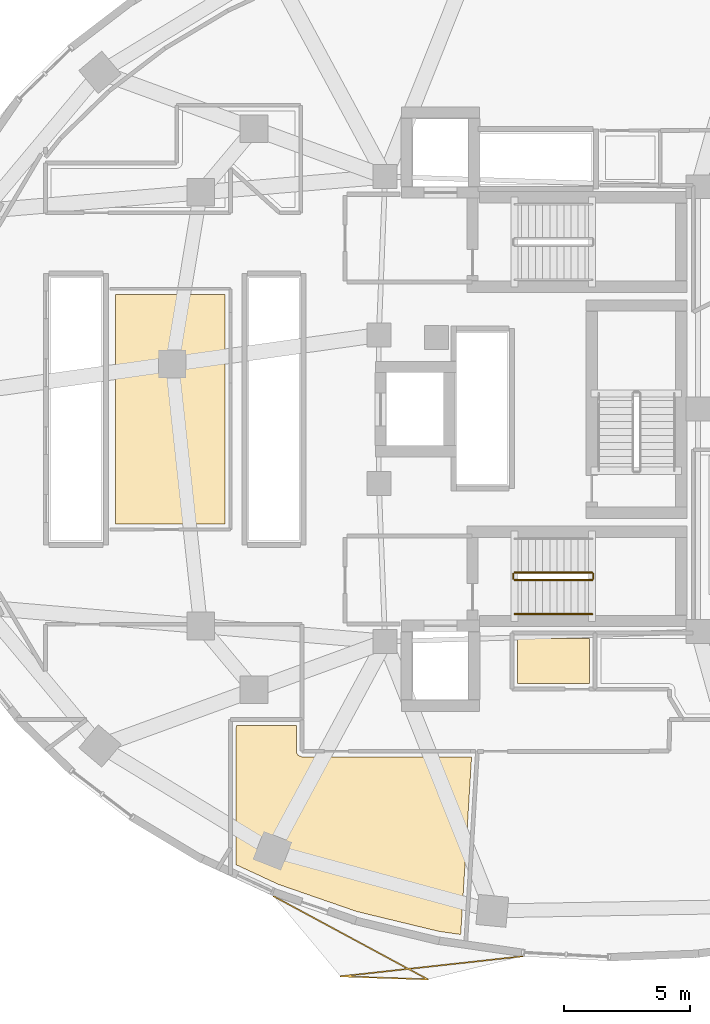
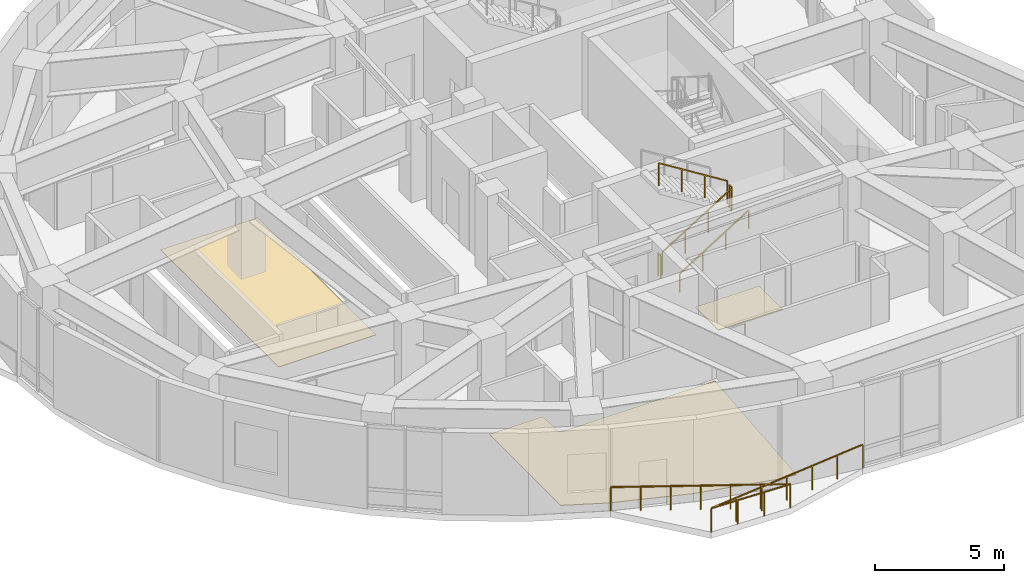
# One storey, part 11 of 13: 6 railings, 3 coverings.
"""IFC4 building model written with IfcOpenShell, lengths in metres."""

from ifc_helpers import new_model, si_unit, direction, frame, origin, origin_2d, place, context, subcontext, project, spatial, polyline, rectangle, outline, extrude, material, layer, layer_set, type_object, element, save


model = new_model("IFC4")

# Units and contexts
model_context = context("Model", 3, precision=1e-05, world=origin(), true_north=direction((0.0, 1.0)))
body_context = subcontext(model_context, "Body", "Model", "MODEL_VIEW")
ifc_project = project(units=[si_unit("LENGTHUNIT", "METRE"), si_unit("AREAUNIT", "SQUARE_METRE"), si_unit("VOLUMEUNIT", "CUBIC_METRE"), si_unit("PLANEANGLEUNIT", "RADIAN"), si_unit("MASSUNIT", "GRAM", prefix="KILO")], contexts=[model_context])

# Site, building, storey
site_placement = place(None, origin())
site = spatial("IfcSite", under=ifc_project, at=site_placement, CompositionType="ELEMENT")
building_placement = place(site_placement, origin())
building = spatial("IfcBuilding", under=site, at=building_placement, Name="Korentha Bioscience Tower", CompositionType="ELEMENT")
storey_placement = place(building_placement, frame((0.0, 0.0, 144.60009765625)))
storey = spatial("IfcBuildingStorey", under=building, at=storey_placement, Name="L33", CompositionType="ELEMENT", Elevation=144.60009765625)

# Railing
ifc_material_1 = material(Name="Stainless Steel 304", Category="steel")
railing_type_1 = type_object("IfcRailingType", Name="Brushed Stainless Stair Handrail 900", PredefinedType="HANDRAIL", material=ifc_material_1)
railing_1_placement = place(storey_placement, frame((30.25, 18.85009765625, 0.1748046875)))
element("IfcRailing", 1, at=railing_1_placement, inside=storey, type_object=railing_type_1, Name="L33 ST-2 stair handrail 1", PredefinedType="HANDRAIL", context=body_context, shape_type="SweptSolid", body=[
    extrude(rectangle(XDim=0.048095703125, YDim=0.048095703125, at=origin_2d()), frame((0.0, 0.0, 0.8759765625), z_axis=(0.847998304005, 0.0, 0.529998940003), x_axis=(0.0, 1.0, 0.0)), (0.0, 0.0, 1.0), 3.632080078125),
    extrude(rectangle(XDim=0.0419921875, YDim=0.0419921875, at=origin_2d()), origin(), (0.0, 0.0, 1.0), 0.851806640625),
    extrude(rectangle(XDim=0.0419921875, YDim=0.0419921875, at=origin_2d()), frame((1.026611328125, 0.0, 0.6416015625)), (0.0, 0.0, 1.0), 0.851806640625),
    extrude(rectangle(XDim=0.0419921875, YDim=0.0419921875, at=origin_2d()), frame((2.053466796875, 0.0, 1.283447265625)), (0.0, 0.0, 1.0), 0.851806640625),
    extrude(rectangle(XDim=0.0419921875, YDim=0.0419921875, at=origin_2d()), frame((3.080078125, 0.0, 1.925048828125)), (0.0, 0.0, 1.0), 0.851806640625),
])

# Coverings
ifc_material_2 = material(Name="Honed Travertine Limestone", Category="masonry")
ifc_layer = layer(ifc_material_2, 0.02490234375, Name="Honed Travertine Limestone")
ifc_layer_set = layer_set([ifc_layer], Name="Honed Travertine Limestone (FL-STN)")
covering_type = type_object("IfcCoveringType", Name="Honed Travertine Lobby Stone Flooring 25", PredefinedType="FLOORING", material=ifc_layer_set)
covering_1_placement = place(storey_placement, origin())
element("IfcCovering", 2, at=covering_1_placement, inside=storey, type_object=covering_type, Name="L33 Core Instrumentation and Gas Store Floor Finish", PredefinedType="FLOORING", context=body_context, shape_type="SweptSolid", body=[
    extrude(outline(polyline([(30.3701171875, 16.080078125), (30.3701171875, 17.8701171875), (33.22998046875, 17.8701171875), (33.22998046875, 16.080078125), (30.3701171875, 16.080078125)])), origin(), (0.0, 0.0, 1.0), 0.02490234375),
])
covering_2_placement = place(storey_placement, origin())
element("IfcCovering", 3, at=covering_2_placement, inside=storey, type_object=covering_type, Name="L33 Principal Investigator Office 01 Floor Finish", PredefinedType="FLOORING", context=body_context, shape_type="SweptSolid", body=[
    extrude(outline(polyline([(14.3798828125, 22.429931640625), (14.380126953125, 31.570068359375), (18.72802734375, 31.570068359375), (18.72802734375, 22.429931640625), (14.3798828125, 22.429931640625)])), origin(), (0.0, 0.0, 1.0), 0.02490234375),
])
covering_3_placement = place(storey_placement, origin())
element("IfcCovering", 4, at=covering_3_placement, inside=storey, type_object=covering_type, Name="L33 Staff Pantry Kitchenette 03 Floor Finish", PredefinedType="FLOORING", context=body_context, shape_type="SweptSolid", body=[
    extrude(outline(polyline([(19.172119140625, 8.876220703125), (19.177978515625, 14.422119140625), (21.570068359375, 14.422119140625), (21.572509765625, 13.36572265625), (21.59228515625, 13.30126953125), (21.645263671875, 13.22998046875), (21.7666015625, 13.17236328125), (28.539306640625, 13.169921875), (28.10693359375, 6.1005859375), (27.239013671875, 6.22607421875), (23.972900390625, 7.014892578125), (20.85791015625, 8.094482421875), (19.172119140625, 8.876220703125)])), origin(), (0.0, 0.0, 1.0), 0.02490234375),
])

# Railings
ifc_material_3 = material(Name="Laminated Tempered Safety Glass", Category="glass")
railing_type_2 = type_object("IfcRailingType", Name="Laminated Glass Balcony Guardrail 1150", PredefinedType="BALUSTRADE", material=ifc_material_3)
railing_2_placement = place(storey_placement, frame((20.66650390625, 7.62109375, 0.0)))
element("IfcRailing", 5, at=railing_2_placement, inside=storey, type_object=railing_type_2, Name="L33 Balcony Guardrail 03", PredefinedType="BALUSTRADE", context=body_context, shape_type="SweptSolid", body=[
    extrude(rectangle(XDim=0.048095703125, YDim=0.048095703125, at=origin_2d()), frame((0.0, 0.0, 1.1259765625), z_axis=(0.880340587616, -0.474342123151, 0.0), x_axis=(0.474342123151, 0.880340587616, 0.0)), (0.0, 0.0, 1.0), 6.969482421875),
    extrude(rectangle(XDim=0.048095703125, YDim=0.048095703125, at=origin_2d()), frame((6.135498046875, -3.305908203125, 1.1259765625), z_axis=(-0.999404081372, 0.034517852442, 0.0), x_axis=(-0.034517852442, -0.999404081372, 0.0)), (0.0, 0.0, 1.0), 3.479736328125),
    extrude(rectangle(XDim=0.048095703125, YDim=0.048095703125, at=origin_2d()), frame((2.65771484375, -3.185791015625, 1.1259765625), z_axis=(0.993998557505, 0.109393179306, 0.0), x_axis=(-0.109393179306, 0.993998557505, 0.0)), (0.0, 0.0, 1.0), 7.27783203125),
    extrude(rectangle(XDim=0.0419921875, YDim=0.0419921875, at=origin_2d()), origin(), (0.0, 0.0, 1.0), 1.101806640625),
    extrude(rectangle(XDim=0.0419921875, YDim=0.0419921875, at=origin_2d()), frame((1.0224609375, -0.551025390625, 0.0)), (0.0, 0.0, 1.0), 1.101806640625),
    extrude(rectangle(XDim=0.0419921875, YDim=0.0419921875, at=origin_2d()), frame((2.045166015625, -1.10205078125, 0.0)), (0.0, 0.0, 1.0), 1.101806640625),
    extrude(rectangle(XDim=0.0419921875, YDim=0.0419921875, at=origin_2d()), frame((3.06787109375, -1.65283203125, 0.0)), (0.0, 0.0, 1.0), 1.101806640625),
    extrude(rectangle(XDim=0.0419921875, YDim=0.0419921875, at=origin_2d()), frame((4.09033203125, -2.203857421875, 0.0)), (0.0, 0.0, 1.0), 1.101806640625),
    extrude(rectangle(XDim=0.0419921875, YDim=0.0419921875, at=origin_2d()), frame((5.11279296875, -2.7548828125, 0.0)), (0.0, 0.0, 1.0), 1.101806640625),
    extrude(rectangle(XDim=0.0419921875, YDim=0.0419921875, at=origin_2d()), frame((6.135498046875, -3.305908203125, 0.0)), (0.0, 0.0, 1.0), 1.101806640625),
    extrude(rectangle(XDim=0.0419921875, YDim=0.0419921875, at=origin_2d()), frame((4.976318359375, -3.265869140625, 0.0)), (0.0, 0.0, 1.0), 1.101806640625),
    extrude(rectangle(XDim=0.0419921875, YDim=0.0419921875, at=origin_2d()), frame((3.81689453125, -3.225830078125, 0.0)), (0.0, 0.0, 1.0), 1.101806640625),
    extrude(rectangle(XDim=0.0419921875, YDim=0.0419921875, at=origin_2d()), frame((2.65771484375, -3.185791015625, 0.0)), (0.0, 0.0, 1.0), 1.101806640625),
    extrude(rectangle(XDim=0.0419921875, YDim=0.0419921875, at=origin_2d()), frame((3.86328125, -3.05322265625, 0.0)), (0.0, 0.0, 1.0), 1.101806640625),
    extrude(rectangle(XDim=0.0419921875, YDim=0.0419921875, at=origin_2d()), frame((5.069091796875, -2.92041015625, 0.0)), (0.0, 0.0, 1.0), 1.101806640625),
    extrude(rectangle(XDim=0.0419921875, YDim=0.0419921875, at=origin_2d()), frame((6.27490234375, -2.78759765625, 0.0)), (0.0, 0.0, 1.0), 1.101806640625),
    extrude(rectangle(XDim=0.0419921875, YDim=0.0419921875, at=origin_2d()), frame((7.48046875, -2.655029296875, 0.0)), (0.0, 0.0, 1.0), 1.101806640625),
    extrude(rectangle(XDim=0.0419921875, YDim=0.0419921875, at=origin_2d()), frame((8.68603515625, -2.5224609375, 0.0)), (0.0, 0.0, 1.0), 1.101806640625),
    extrude(rectangle(XDim=0.0419921875, YDim=0.0419921875, at=origin_2d()), frame((9.891845703125, -2.3896484375, 0.0)), (0.0, 0.0, 1.0), 1.101806640625),
])
ifc_material_4 = material(Name="Painted Steel S275", Category="steel")
railing_type_3 = type_object("IfcRailingType", Name="Painted Steel Stair Well Guardrail 1100", PredefinedType="GUARDRAIL", material=ifc_material_4)
railing_3_placement = place(storey_placement, frame((30.25, 20.199951171875, 0.1748046875)))
element("IfcRailing", 6, at=railing_3_placement, inside=storey, type_object=railing_type_3, Name="L33 ST-2 stair guard 1", PredefinedType="GUARDRAIL", context=body_context, shape_type="SweptSolid", body=[
    extrude(rectangle(XDim=0.048095703125, YDim=0.048095703125, at=origin_2d()), frame((0.0, 0.0, 1.076171875), z_axis=(0.847998304005, 0.0, 0.529998940003), x_axis=(0.0, 1.0, 0.0)), (0.0, 0.0, 1.0), 3.632080078125),
    extrude(rectangle(XDim=0.0419921875, YDim=0.0419921875, at=origin_2d()), origin(), (0.0, 0.0, 1.0), 1.052001953125),
    extrude(rectangle(XDim=0.0419921875, YDim=0.0419921875, at=origin_2d()), frame((1.026611328125, 0.0, 0.6416015625)), (0.0, 0.0, 1.0), 1.052001953125),
    extrude(rectangle(XDim=0.0419921875, YDim=0.0419921875, at=origin_2d()), frame((2.053466796875, 0.0, 1.283447265625)), (0.0, 0.0, 1.0), 1.052001953125),
    extrude(rectangle(XDim=0.0419921875, YDim=0.0419921875, at=origin_2d()), frame((3.080078125, 0.0, 1.925048828125)), (0.0, 0.0, 1.0), 1.052001953125),
])
railing_4_placement = place(storey_placement, frame((33.3798828125, 20.25, 2.099853515625)))
element("IfcRailing", 7, at=railing_4_placement, inside=storey, type_object=railing_type_3, Name="L33 ST-2 stair guard 2", PredefinedType="GUARDRAIL", context=body_context, shape_type="SweptSolid", body=[
    extrude(rectangle(XDim=0.048095703125, YDim=0.048095703125, at=origin_2d()), frame((0.0, 0.0, 1.076171875), z_axis=(0.0, 1.0, 0.0), x_axis=(-1.0, 0.0, 0.0)), (0.0, 0.0, 1.0), 0.199951171875),
    extrude(rectangle(XDim=0.0419921875, YDim=0.0419921875, at=origin_2d()), origin(), (0.0, 0.0, 1.0), 1.052001953125),
    extrude(rectangle(XDim=0.0419921875, YDim=0.0419921875, at=origin_2d()), frame((0.0, 0.199951171875, 0.0)), (0.0, 0.0, 1.0), 1.052001953125),
])
railing_5_placement = place(storey_placement, frame((33.330078125, 20.5, 2.27490234375)))
element("IfcRailing", 8, at=railing_5_placement, inside=storey, type_object=railing_type_3, Name="L33 ST-2 stair guard 3", PredefinedType="GUARDRAIL", context=body_context, shape_type="SweptSolid", body=[
    extrude(rectangle(XDim=0.048095703125, YDim=0.048095703125, at=origin_2d()), frame((0.0, 0.0, 1.076171875), z_axis=(-0.847998304005, 0.0, 0.529998940003), x_axis=(0.0, -1.0, 0.0)), (0.0, 0.0, 1.0), 3.632080078125),
    extrude(rectangle(XDim=0.0419921875, YDim=0.0419921875, at=origin_2d()), origin(), (0.0, 0.0, 1.0), 1.052001953125),
    extrude(rectangle(XDim=0.0419921875, YDim=0.0419921875, at=origin_2d()), frame((-1.026611328125, 0.0, 0.6416015625)), (0.0, 0.0, 1.0), 1.052001953125),
    extrude(rectangle(XDim=0.0419921875, YDim=0.0419921875, at=origin_2d()), frame((-2.053466796875, 0.0, 1.283447265625)), (0.0, 0.0, 1.0), 1.052001953125),
    extrude(rectangle(XDim=0.0419921875, YDim=0.0419921875, at=origin_2d()), frame((-3.080078125, 0.0, 1.925048828125)), (0.0, 0.0, 1.0), 1.052001953125),
])
railing_6_placement = place(storey_placement, frame((30.199951171875, 20.25, 0.0)))
element("IfcRailing", 9, at=railing_6_placement, inside=storey, type_object=railing_type_3, Name="L33 ST-2 stair guard 4", PredefinedType="GUARDRAIL", context=body_context, shape_type="SweptSolid", body=[
    extrude(rectangle(XDim=0.048095703125, YDim=0.048095703125, at=origin_2d()), frame((0.0, 0.0, 1.076171875), z_axis=(0.0, 1.0, 0.0), x_axis=(-1.0, 0.0, 0.0)), (0.0, 0.0, 1.0), 0.199951171875),
    extrude(rectangle(XDim=0.0419921875, YDim=0.0419921875, at=origin_2d()), origin(), (0.0, 0.0, 1.0), 1.052001953125),
    extrude(rectangle(XDim=0.0419921875, YDim=0.0419921875, at=origin_2d()), frame((0.0, 0.199951171875, 0.0)), (0.0, 0.0, 1.0), 1.052001953125),
])

save(model, "model.ifc")
